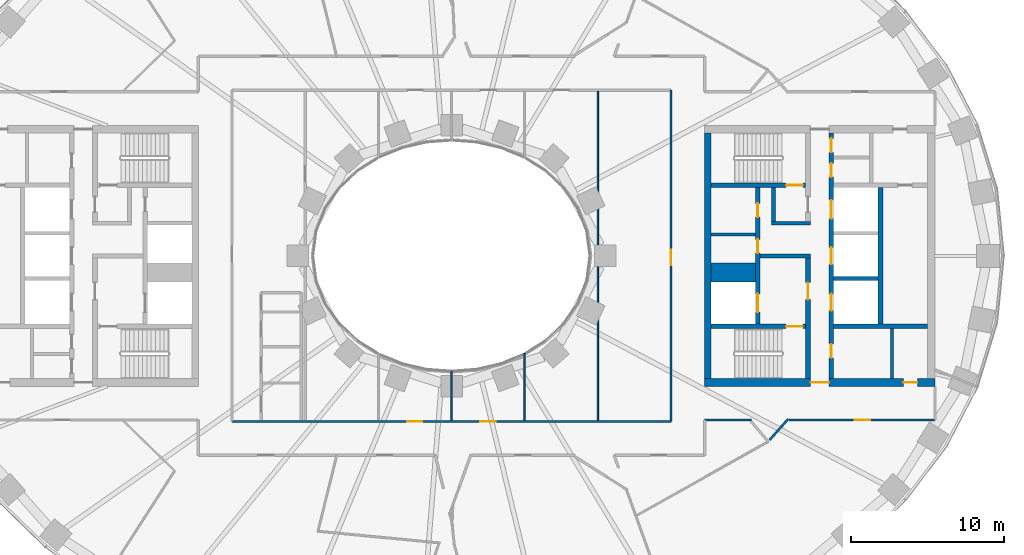
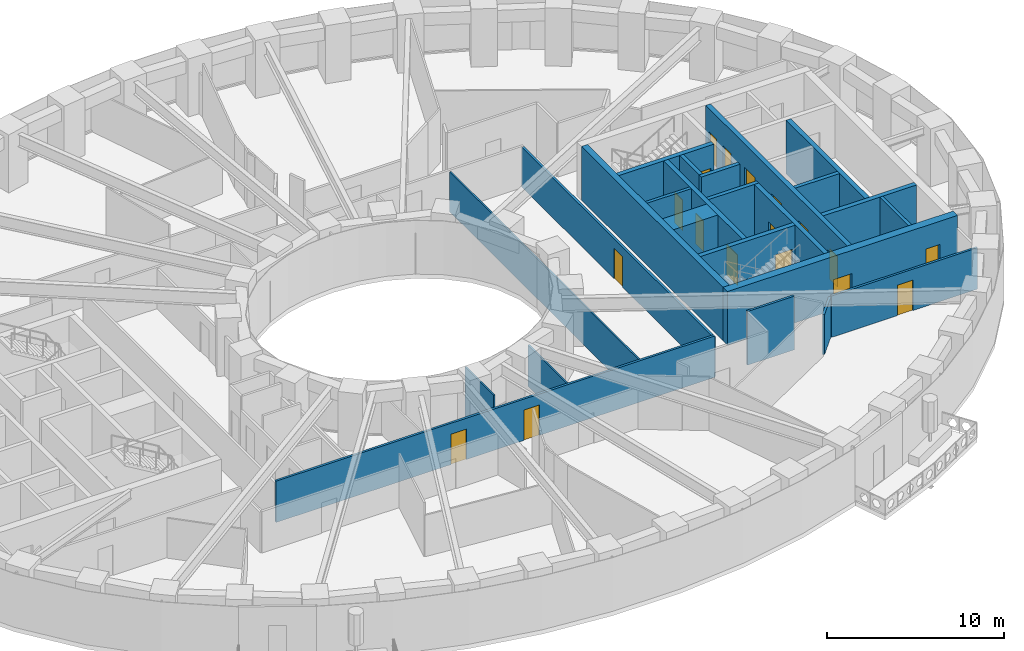
# One storey, part 5 of 15: 24 walls, 18 doors, 18 openings.
"""IFC4 building model written with IfcOpenShell, lengths in metres."""

from ifc_helpers import new_model, si_unit, direction, frame, frame_2d, origin, place, context, subcontext, project, spatial, rectangle, extrude, material, layer, layer_set, type_object, element, fill, save


model = new_model("IFC4")

# Units and contexts
model_context = context("Model", 3, precision=1e-05, world=origin(), true_north=direction((0.0, 1.0)))
body_context = subcontext(model_context, "Body", "Model", "MODEL_VIEW")
ifc_project = project(units=[si_unit("LENGTHUNIT", "METRE"), si_unit("AREAUNIT", "SQUARE_METRE"), si_unit("VOLUMEUNIT", "CUBIC_METRE"), si_unit("PLANEANGLEUNIT", "RADIAN"), si_unit("MASSUNIT", "GRAM", prefix="KILO")], contexts=[model_context])

# Site, building, storey
site_placement = place(None, origin())
site = spatial("IfcSite", under=ifc_project, at=site_placement, CompositionType="ELEMENT")
building_placement = place(site_placement, origin())
building = spatial("IfcBuilding", under=site, at=building_placement, Name="Noorbagh Ring Tower", CompositionType="ELEMENT")
storey_placement = place(building_placement, frame((0.0, 0.0, 50.5)))
storey = spatial("IfcBuildingStorey", under=building, at=storey_placement, Name="L10", CompositionType="ELEMENT", Elevation=50.5)

# Walls
ifc_material_1 = material(Name="Gypsum board on steel studs", Category="steel")
ifc_layer_1 = layer(ifc_material_1, 0.199951171875)
ifc_layer_set_1 = layer_set([ifc_layer_1], Name="Gypsum board on steel studs")
wall_type_1 = type_object("IfcWallType", Name="CORE-PARTITION-200", PredefinedType="PARTITIONING", material=ifc_layer_set_1)
wall_1_placement = place(storey_placement, frame((16.89990234375, 1.39990234375, 0.0), z_axis=(0.0, 0.0, 1.0), x_axis=(1.0, 0.0, 0.0)))
element("IfcWall", 1, at=wall_1_placement, inside=storey, type_object=wall_type_1, Name="Core partition E", PredefinedType="PARTITIONING", context=body_context, shape_type="SweptSolid", body=[
    extrude(rectangle(XDim=2.900146484375, YDim=0.199951171875, at=frame_2d((1.4501953125, 0.0))), origin(), (0.0, 0.0, 1.0), 3.699951171875),
])
wall_2_placement = place(storey_placement, frame((28.699951171875, -8.0, 0.0), z_axis=(0.0, 0.0, 1.0), x_axis=(0.0, 1.0, 0.0)))
element("IfcWall", 2, at=wall_2_placement, inside=storey, type_object=wall_type_1, Name="Core partition E", PredefinedType="PARTITIONING", context=body_context, shape_type="SweptSolid", body=[
    extrude(rectangle(XDim=3.25, YDim=0.199951171875, at=frame_2d((1.625, 0.0))), origin(), (0.0, 0.0, 1.0), 3.699951171875),
])
ifc_material_2 = material(Name="Concrete C70/85", Category="concrete")
ifc_layer_2 = layer(ifc_material_2, 1.25)
ifc_layer_set_2 = layer_set([ifc_layer_2], Name="Concrete C70/85")
wall_type_2 = type_object("IfcWallType", Name="CORE-WALL-1250-C70-85-EI120", PredefinedType="SHEAR", material=ifc_layer_set_2)
wall_3_placement = place(storey_placement, frame((16.89990234375, -1.074951171875, 0.0), z_axis=(0.0, 0.0, 1.0), x_axis=(1.0, 0.0, 0.0)))
element("IfcWall", 3, at=wall_3_placement, inside=storey, type_object=wall_type_2, Name="Core wall E", PredefinedType="SHEAR", context=body_context, shape_type="SweptSolid", body=[
    extrude(rectangle(XDim=2.900146484375, YDim=1.25, at=frame_2d((1.4501953125, 0.0))), origin(), (0.0, 0.0, 1.0), 3.699951171875),
])
ifc_material_3 = material(Name="Concrete C70/85", Category="concrete")
ifc_layer_3 = layer(ifc_material_3, 0.25)
ifc_layer_set_3 = layer_set([ifc_layer_3], Name="Concrete C70/85")
wall_type_3 = type_object("IfcWallType", Name="CORE-WALL-250-C70-85-EI120", PredefinedType="SHEAR", material=ifc_layer_set_3)
wall_4_placement = place(storey_placement, frame((24.89990234375, -1.47509765625, 0.0), z_axis=(0.0, 0.0, 1.0), x_axis=(1.0, 0.0, 0.0)))
element("IfcWall", 4, at=wall_4_placement, inside=storey, type_object=wall_type_3, Name="Core wall E", PredefinedType="SHEAR", context=body_context, shape_type="SweptSolid", body=[
    extrude(rectangle(XDim=2.900146484375, YDim=0.25, at=frame_2d((1.4501953125, 0.0))), origin(), (0.0, 0.0, 1.0), 3.699951171875),
])
ifc_material_4 = material(Name="Concrete C70/85", Category="concrete")
ifc_layer_4 = layer(ifc_material_4, 0.25)
ifc_layer_set_4 = layer_set([ifc_layer_4], Name="Concrete C70/85")
wall_type_4 = type_object("IfcWallType", Name="CORE-WALL-250-C70-85-EI240", PredefinedType="SHEAR", material=ifc_layer_set_4)
wall_5_placement = place(storey_placement, frame((20.10009765625, 0.0, 0.0), z_axis=(0.0, 0.0, 1.0), x_axis=(1.0, 0.0, 0.0)))
element("IfcWall", 5, at=wall_5_placement, inside=storey, type_object=wall_type_4, Name="Core wall E", PredefinedType="SHEAR", context=body_context, shape_type="SweptSolid", body=[
    extrude(rectangle(XDim=3.27978515625, YDim=0.25, at=frame_2d((1.639892578125, 0.0))), origin(), (0.0, 0.0, 1.0), 3.699951171875),
])
wall_6_placement = place(storey_placement, frame((20.85009765625, 2.125, 0.0), z_axis=(0.0, 0.0, 1.0), x_axis=(1.0, 0.0, 0.0)))
element("IfcWall", 6, at=wall_6_placement, inside=storey, type_object=wall_type_4, Name="Core wall E", PredefinedType="SHEAR", context=body_context, shape_type="SweptSolid", body=[
    extrude(rectangle(XDim=2.52978515625, YDim=0.25, at=frame_2d((1.264892578125, 0.0))), origin(), (0.0, 0.0, 1.0), 3.699951171875),
])
wall_7_placement = place(storey_placement, frame((20.97509765625, 2.25, 0.0), z_axis=(0.0, 0.0, 1.0), x_axis=(0.0, 1.0, 0.0)))
element("IfcWall", 7, at=wall_7_placement, inside=storey, type_object=wall_type_4, Name="Core wall E", PredefinedType="SHEAR", context=body_context, shape_type="SweptSolid", body=[
    extrude(rectangle(XDim=2.199951171875, YDim=0.25, at=frame_2d((1.10009765625, 0.0))), origin(), (0.0, 0.0, 1.0), 3.699951171875),
])
ifc_material_5 = material(Name="Concrete C70/85", Category="concrete")
ifc_layer_5 = layer(ifc_material_5, 0.300048828125)
ifc_layer_set_5 = layer_set([ifc_layer_5], Name="Concrete C70/85")
wall_type_5 = type_object("IfcWallType", Name="CORE-WALL-300-C70-85-EI120", PredefinedType="SHEAR", material=ifc_layer_set_5)
wall_8_placement = place(storey_placement, frame((27.949951171875, -4.449951171875, 0.0), z_axis=(0.0, 0.0, 1.0), x_axis=(0.0, 1.0, 0.0)))
element("IfcWall", 8, at=wall_8_placement, inside=storey, type_object=wall_type_5, Name="Core wall E", PredefinedType="SHEAR", context=body_context, shape_type="SweptSolid", body=[
    extrude(rectangle(XDim=8.89990234375, YDim=0.300048828125, at=frame_2d((4.449951171875, 0.0))), origin(), (0.0, 0.0, 1.0), 3.699951171875),
])

# Wall, openings, doors
wall_9_placement = place(storey_placement, frame((19.949951171875, -4.449951171875, 0.0), z_axis=(0.0, 0.0, 1.0), x_axis=(0.0, 1.0, 0.0)))
wall_9 = element("IfcWall", 9, at=wall_9_placement, inside=storey, type_object=wall_type_5, Name="Core wall E", PredefinedType="SHEAR", context=body_context, shape_type="SweptSolid", body=[
    extrude(rectangle(XDim=8.89990234375, YDim=0.300048828125, at=frame_2d((4.449951171875, 0.0))), origin(), (0.0, 0.0, 1.0), 3.699951171875),
])
opening_1_placement = place(wall_9_placement, frame((0.77490234375, 0.0, 0.0)))
opening_1 = element("IfcOpeningElement", 10, at=opening_1_placement, cuts=wall_9, Name="Opening L10-CE01", PredefinedType="OPENING", context=body_context, shape_type="SweptSolid", body=[
    extrude(rectangle(XDim=1.199951171875, YDim=2.10009765625, at=frame_2d((0.60009765625, 1.050048828125))), frame((0.0, 0.16015625, 0.0), z_axis=(0.0, -1.0, 0.0), x_axis=(1.0, 0.0, 0.0)), (0.0, 0.0, 1.0), 0.320068359375),
])
opening_2_placement = place(wall_9_placement, frame((4.6201171875, 0.0, 0.0)))
opening_2 = element("IfcOpeningElement", 11, at=opening_2_placement, cuts=wall_9, Name="Opening L10-CE11", PredefinedType="OPENING", context=body_context, shape_type="SweptSolid", body=[
    extrude(rectangle(XDim=0.89990234375, YDim=2.10009765625, at=frame_2d((0.449951171875, 1.050048828125))), frame((0.0, 0.16015625, 0.0), z_axis=(0.0, -1.0, 0.0), x_axis=(1.0, 0.0, 0.0)), (0.0, 0.0, 1.0), 0.320068359375),
])
opening_3_placement = place(wall_9_placement, frame((6.97509765625, 0.0, 0.0)))
opening_3 = element("IfcOpeningElement", 12, at=opening_3_placement, cuts=wall_9, Name="Opening L10-CE12", PredefinedType="OPENING", context=body_context, shape_type="SweptSolid", body=[
    extrude(rectangle(XDim=0.89990234375, YDim=2.10009765625, at=frame_2d((0.449951171875, 1.050048828125))), frame((0.0, 0.16015625, 0.0), z_axis=(0.0, -1.0, 0.0), x_axis=(1.0, 0.0, 0.0)), (0.0, 0.0, 1.0), 0.320068359375),
])
ifc_material_6 = material(Name="Steel door leaf", Category="steel")
door_type_1 = type_object("IfcDoorType", Name="CORE-DOOR-DROOM", OperationType="SINGLE_SWING_LEFT", PredefinedType="DOOR", material=ifc_material_6)
door_1_placement = place(opening_2_placement, origin())
door_1 = element("IfcDoor", 13, at=door_1_placement, inside=storey, type_object=door_type_1, Name="Core room door L10-CE11", OperationType="SINGLE_SWING_LEFT", OverallHeight=2.10009765625, OverallWidth=0.89990234375, PredefinedType="DOOR", context=body_context, shape_type="SweptSolid", body=[
    extrude(rectangle(XDim=0.89990234375, YDim=2.10009765625, at=frame_2d((0.449951171875, 1.050048828125))), frame((0.0, 0.02490234375, 0.0), z_axis=(0.0, -1.0, 0.0), x_axis=(1.0, 0.0, 0.0)), (0.0, 0.0, 1.0), 0.050048828125),
])
fill(opening_2, door_1)
door_2_placement = place(opening_3_placement, origin())
door_2 = element("IfcDoor", 14, at=door_2_placement, inside=storey, type_object=door_type_1, Name="Core room door L10-CE12", OperationType="SINGLE_SWING_RIGHT", OverallHeight=2.10009765625, OverallWidth=0.89990234375, PredefinedType="DOOR", context=body_context, shape_type="SweptSolid", body=[
    extrude(rectangle(XDim=0.89990234375, YDim=2.10009765625, at=frame_2d((0.449951171875, 1.050048828125))), frame((0.0, 0.02490234375, 0.0), z_axis=(0.0, -1.0, 0.0), x_axis=(1.0, 0.0, 0.0)), (0.0, 0.0, 1.0), 0.050048828125),
])
fill(opening_3, door_2)
ifc_material_7 = material(Name="Steel door leaf", Category="steel")
door_type_2 = type_object("IfcDoorType", Name="CORE-DOOR-LDW", OperationType="DOUBLE_DOOR_SLIDING", PredefinedType="DOOR", material=ifc_material_7)
door_3_placement = place(opening_1_placement, origin())
door_3 = element("IfcDoor", 15, at=door_3_placement, inside=storey, type_object=door_type_2, Name="Landing door FF2 L10-CE01", OperationType="DOUBLE_DOOR_SLIDING", OverallHeight=2.10009765625, OverallWidth=1.199951171875, PredefinedType="DOOR", context=body_context, shape_type="SweptSolid", body=[
    extrude(rectangle(XDim=1.199951171875, YDim=2.10009765625, at=frame_2d((0.60009765625, 1.050048828125))), frame((0.0, 0.02490234375, 0.0), z_axis=(0.0, -1.0, 0.0), x_axis=(1.0, 0.0, 0.0)), (0.0, 0.0, 1.0), 0.050048828125),
])
fill(opening_1, door_3)

wall_10_placement = place(storey_placement, frame((24.75, -8.0, 0.0), z_axis=(0.0, 0.0, 1.0), x_axis=(0.0, 1.0, 0.0)))
wall_10 = element("IfcWall", 16, at=wall_10_placement, inside=storey, type_object=wall_type_5, Name="Core wall E", PredefinedType="SHEAR", context=body_context, shape_type="SweptSolid", body=[
    extrude(rectangle(XDim=16.0, YDim=0.300048828125, at=frame_2d((8.0, 0.0))), origin(), (0.0, 0.0, 1.0), 3.699951171875),
])
opening_4_placement = place(wall_10_placement, frame((4.425048828125, 0.0, 0.0)))
opening_4 = element("IfcOpeningElement", 17, at=opening_4_placement, cuts=wall_10, Name="Opening L10-CE02", PredefinedType="OPENING", context=body_context, shape_type="SweptSolid", body=[
    extrude(rectangle(XDim=1.10009765625, YDim=2.10009765625, at=frame_2d((0.550048828125, 1.050048828125))), frame((0.0, 0.16015625, 0.0), z_axis=(0.0, -1.0, 0.0), x_axis=(1.0, 0.0, 0.0)), (0.0, 0.0, 1.0), 0.320068359375),
])
opening_5_placement = place(wall_10_placement, frame((7.449951171875, 0.0, 0.0)))
opening_5 = element("IfcOpeningElement", 18, at=opening_5_placement, cuts=wall_10, Name="Opening L10-CE03", PredefinedType="OPENING", context=body_context, shape_type="SweptSolid", body=[
    extrude(rectangle(XDim=1.10009765625, YDim=2.10009765625, at=frame_2d((0.550048828125, 1.050048828125))), frame((0.0, 0.16015625, 0.0), z_axis=(0.0, -1.0, 0.0), x_axis=(1.0, 0.0, 0.0)), (0.0, 0.0, 1.0), 0.320068359375),
])
opening_6_placement = place(wall_10_placement, frame((10.425048828125, 0.0, 0.0)))
opening_6 = element("IfcOpeningElement", 19, at=opening_6_placement, cuts=wall_10, Name="Opening L10-CE04", PredefinedType="OPENING", context=body_context, shape_type="SweptSolid", body=[
    extrude(rectangle(XDim=1.199951171875, YDim=2.10009765625, at=frame_2d((0.60009765625, 1.050048828125))), frame((0.0, 0.16015625, 0.0), z_axis=(0.0, -1.0, 0.0), x_axis=(1.0, 0.0, 0.0)), (0.0, 0.0, 1.0), 0.320068359375),
])
opening_7_placement = place(wall_10_placement, frame((13.125, 0.0, 0.0)))
opening_7 = element("IfcOpeningElement", 20, at=opening_7_placement, cuts=wall_10, Name="Opening L10-CE13", PredefinedType="OPENING", context=body_context, shape_type="SweptSolid", body=[
    extrude(rectangle(XDim=0.89990234375, YDim=2.10009765625, at=frame_2d((0.449951171875, 1.050048828125))), frame((0.0, 0.16015625, 0.0), z_axis=(0.0, -1.0, 0.0), x_axis=(1.0, 0.0, 0.0)), (0.0, 0.0, 1.0), 0.320068359375),
])
opening_8_placement = place(wall_10_placement, frame((14.75, 0.0, 0.0)))
opening_8 = element("IfcOpeningElement", 21, at=opening_8_placement, cuts=wall_10, Name="Opening L10-CE14", PredefinedType="OPENING", context=body_context, shape_type="SweptSolid", body=[
    extrude(rectangle(XDim=0.89990234375, YDim=2.10009765625, at=frame_2d((0.449951171875, 1.050048828125))), frame((0.0, 0.16015625, 0.0), z_axis=(0.0, -1.0, 0.0), x_axis=(1.0, 0.0, 0.0)), (0.0, 0.0, 1.0), 0.320068359375),
])
opening_9_placement = place(wall_10_placement, frame((1.35009765625, 0.0, 0.0)))
opening_9 = element("IfcOpeningElement", 22, at=opening_9_placement, cuts=wall_10, Name="Opening L10-CE16", PredefinedType="OPENING", context=body_context, shape_type="SweptSolid", body=[
    extrude(rectangle(XDim=0.89990234375, YDim=2.10009765625, at=frame_2d((0.449951171875, 1.050048828125))), frame((0.0, 0.16015625, 0.0), z_axis=(0.0, -1.0, 0.0), x_axis=(1.0, 0.0, 0.0)), (0.0, 0.0, 1.0), 0.320068359375),
])
door_4_placement = place(opening_7_placement, origin())
door_4 = element("IfcDoor", 23, at=door_4_placement, inside=storey, type_object=door_type_1, Name="Core room door L10-CE13", OperationType="SINGLE_SWING_RIGHT", OverallHeight=2.10009765625, OverallWidth=0.89990234375, PredefinedType="DOOR", context=body_context, shape_type="SweptSolid", body=[
    extrude(rectangle(XDim=0.89990234375, YDim=2.10009765625, at=frame_2d((0.449951171875, 1.050048828125))), frame((0.0, 0.02490234375, 0.0), z_axis=(0.0, -1.0, 0.0), x_axis=(1.0, 0.0, 0.0)), (0.0, 0.0, 1.0), 0.050048828125),
])
fill(opening_7, door_4)
door_5_placement = place(opening_8_placement, origin())
door_5 = element("IfcDoor", 24, at=door_5_placement, inside=storey, type_object=door_type_1, Name="Core room door L10-CE14", OperationType="SINGLE_SWING_LEFT", OverallHeight=2.10009765625, OverallWidth=0.89990234375, PredefinedType="DOOR", context=body_context, shape_type="SweptSolid", body=[
    extrude(rectangle(XDim=0.89990234375, YDim=2.10009765625, at=frame_2d((0.449951171875, 1.050048828125))), frame((0.0, 0.02490234375, 0.0), z_axis=(0.0, -1.0, 0.0), x_axis=(1.0, 0.0, 0.0)), (0.0, 0.0, 1.0), 0.050048828125),
])
fill(opening_8, door_5)
door_6_placement = place(opening_9_placement, origin())
door_6 = element("IfcDoor", 25, at=door_6_placement, inside=storey, type_object=door_type_1, Name="Core room door L10-CE16", OperationType="SINGLE_SWING_RIGHT", OverallHeight=2.10009765625, OverallWidth=0.89990234375, PredefinedType="DOOR", context=body_context, shape_type="SweptSolid", body=[
    extrude(rectangle(XDim=0.89990234375, YDim=2.10009765625, at=frame_2d((0.449951171875, 1.050048828125))), frame((0.0, 0.02490234375, 0.0), z_axis=(0.0, -1.0, 0.0), x_axis=(1.0, 0.0, 0.0)), (0.0, 0.0, 1.0), 0.050048828125),
])
fill(opening_9, door_6)
ifc_material_8 = material(Name="Steel door leaf", Category="steel")
door_type_3 = type_object("IfcDoorType", Name="CORE-DOOR-LD", OperationType="DOUBLE_DOOR_SLIDING", PredefinedType="DOOR", material=ifc_material_8)
door_7_placement = place(opening_4_placement, origin())
door_7 = element("IfcDoor", 26, at=door_7_placement, inside=storey, type_object=door_type_3, Name="Landing door LR3 L10-CE02", OperationType="DOUBLE_DOOR_SLIDING", OverallHeight=2.10009765625, OverallWidth=1.10009765625, PredefinedType="DOOR", context=body_context, shape_type="SweptSolid", body=[
    extrude(rectangle(XDim=1.10009765625, YDim=2.10009765625, at=frame_2d((0.550048828125, 1.050048828125))), frame((0.0, 0.02490234375, 0.0), z_axis=(0.0, -1.0, 0.0), x_axis=(1.0, 0.0, 0.0)), (0.0, 0.0, 1.0), 0.050048828125),
])
fill(opening_4, door_7)
door_8_placement = place(opening_5_placement, origin())
door_8 = element("IfcDoor", 27, at=door_8_placement, inside=storey, type_object=door_type_3, Name="Landing door LR4 L10-CE03", OperationType="DOUBLE_DOOR_SLIDING", OverallHeight=2.10009765625, OverallWidth=1.10009765625, PredefinedType="DOOR", context=body_context, shape_type="SweptSolid", body=[
    extrude(rectangle(XDim=1.10009765625, YDim=2.10009765625, at=frame_2d((0.550048828125, 1.050048828125))), frame((0.0, 0.02490234375, 0.0), z_axis=(0.0, -1.0, 0.0), x_axis=(1.0, 0.0, 0.0)), (0.0, 0.0, 1.0), 0.050048828125),
])
fill(opening_5, door_8)
door_9_placement = place(opening_6_placement, origin())
door_9 = element("IfcDoor", 28, at=door_9_placement, inside=storey, type_object=door_type_2, Name="Landing door SV2 L10-CE04", OperationType="DOUBLE_DOOR_SLIDING", OverallHeight=2.10009765625, OverallWidth=1.199951171875, PredefinedType="DOOR", context=body_context, shape_type="SweptSolid", body=[
    extrude(rectangle(XDim=1.199951171875, YDim=2.10009765625, at=frame_2d((0.60009765625, 1.050048828125))), frame((0.0, 0.02490234375, 0.0), z_axis=(0.0, -1.0, 0.0), x_axis=(1.0, 0.0, 0.0)), (0.0, 0.0, 1.0), 0.050048828125),
])
fill(opening_6, door_9)

# Wall
ifc_material_9 = material(Name="Concrete C70/85", Category="concrete")
ifc_layer_6 = layer(ifc_material_9, 0.300048828125)
ifc_layer_set_6 = layer_set([ifc_layer_6], Name="Concrete C70/85")
wall_type_6 = type_object("IfcWallType", Name="CORE-WALL-300-C70-85-EI240", PredefinedType="SHEAR", material=ifc_layer_set_6)
wall_11_placement = place(storey_placement, frame((24.89990234375, -4.60009765625, 0.0), z_axis=(0.0, 0.0, 1.0), x_axis=(1.0, 0.0, 0.0)))
element("IfcWall", 29, at=wall_11_placement, inside=storey, type_object=wall_type_6, Name="Core wall E", PredefinedType="SHEAR", context=body_context, shape_type="SweptSolid", body=[
    extrude(rectangle(XDim=6.10009765625, YDim=0.300048828125, at=frame_2d((3.050048828125, 0.0))), origin(), (0.0, 0.0, 1.0), 3.699951171875),
])

# Wall, opening, door
wall_12_placement = place(storey_placement, frame((23.22998046875, -8.0, 0.0), z_axis=(0.0, 0.0, 1.0), x_axis=(0.0, 1.0, 0.0)))
wall_12 = element("IfcWall", 30, at=wall_12_placement, inside=storey, type_object=wall_type_6, Name="Core wall E", PredefinedType="SHEAR", context=body_context, shape_type="SweptSolid", body=[
    extrude(rectangle(XDim=7.875, YDim=0.300048828125, at=frame_2d((3.9375, 0.0))), origin(), (0.0, 0.0, 1.0), 3.699951171875),
])
opening_10_placement = place(wall_12_placement, frame((5.14990234375, 0.0, 0.0)))
opening_10 = element("IfcOpeningElement", 31, at=opening_10_placement, cuts=wall_12, Name="Opening L10-CE07", PredefinedType="OPENING", context=body_context, shape_type="SweptSolid", body=[
    extrude(rectangle(XDim=1.10009765625, YDim=2.10009765625, at=frame_2d((0.550048828125, 1.050048828125))), frame((0.0, 0.16015625, 0.0), z_axis=(0.0, -1.0, 0.0), x_axis=(1.0, 0.0, 0.0)), (0.0, 0.0, 1.0), 0.320068359375),
])
ifc_material_10 = material(Name="Steel door leaf", Category="steel")
door_type_4 = type_object("IfcDoorType", Name="CORE-DOOR-DFF", OperationType="SINGLE_SWING_LEFT", PredefinedType="DOOR", material=ifc_material_10)
door_10_placement = place(opening_10_placement, origin())
door_10 = element("IfcDoor", 32, at=door_10_placement, inside=storey, type_object=door_type_4, Name="Firefighting lobby door L10-CE07", OperationType="SINGLE_SWING_RIGHT", OverallHeight=2.10009765625, OverallWidth=1.10009765625, PredefinedType="DOOR", context=body_context, shape_type="SweptSolid", body=[
    extrude(rectangle(XDim=1.10009765625, YDim=2.10009765625, at=frame_2d((0.550048828125, 1.050048828125))), frame((0.0, 0.02490234375, 0.0), z_axis=(0.0, -1.0, 0.0), x_axis=(1.0, 0.0, 0.0)), (0.0, 0.0, 1.0), 0.050048828125),
])
fill(opening_10, door_10)

wall_13_placement = place(storey_placement, frame((16.89990234375, 4.60009765625, 0.0), z_axis=(0.0, 0.0, 1.0), x_axis=(1.0, 0.0, 0.0)))
wall_13 = element("IfcWall", 33, at=wall_13_placement, inside=storey, type_object=wall_type_6, Name="Core wall E", PredefinedType="SHEAR", context=body_context, shape_type="SweptSolid", body=[
    extrude(rectangle(XDim=6.18017578125, YDim=0.300048828125, at=frame_2d((3.090087890625, 0.0))), origin(), (0.0, 0.0, 1.0), 3.699951171875),
])
opening_11_placement = place(wall_13_placement, frame((4.89990234375, 0.0, 0.0)))
opening_11 = element("IfcOpeningElement", 34, at=opening_11_placement, cuts=wall_13, Name="Opening L10-CE05", PredefinedType="OPENING", context=body_context, shape_type="SweptSolid", body=[
    extrude(rectangle(XDim=1.10009765625, YDim=2.10009765625, at=frame_2d((0.550048828125, 1.050048828125))), frame((0.0, 0.16015625, 0.0), z_axis=(0.0, -1.0, 0.0), x_axis=(1.0, 0.0, 0.0)), (0.0, 0.0, 1.0), 0.320068359375),
])
ifc_material_11 = material(Name="Steel door leaf", Category="steel")
door_type_5 = type_object("IfcDoorType", Name="CORE-DOOR-DSTAIR", OperationType="SINGLE_SWING_LEFT", PredefinedType="DOOR", material=ifc_material_11)
door_11_placement = place(opening_11_placement, origin())
door_11 = element("IfcDoor", 35, at=door_11_placement, inside=storey, type_object=door_type_5, Name="Stair door ST3 L10-CE05", OperationType="SINGLE_SWING_LEFT", OverallHeight=2.10009765625, OverallWidth=1.10009765625, PredefinedType="DOOR", context=body_context, shape_type="SweptSolid", body=[
    extrude(rectangle(XDim=1.10009765625, YDim=2.10009765625, at=frame_2d((0.550048828125, 1.050048828125))), frame((0.0, 0.02490234375, 0.0), z_axis=(0.0, -1.0, 0.0), x_axis=(1.0, 0.0, 0.0)), (0.0, 0.0, 1.0), 0.050048828125),
])
fill(opening_11, door_11)

wall_14_placement = place(storey_placement, frame((16.89990234375, -4.60009765625, 0.0), z_axis=(0.0, 0.0, 1.0), x_axis=(1.0, 0.0, 0.0)))
wall_14 = element("IfcWall", 36, at=wall_14_placement, inside=storey, type_object=wall_type_6, Name="Core wall E", PredefinedType="SHEAR", context=body_context, shape_type="SweptSolid", body=[
    extrude(rectangle(XDim=6.18017578125, YDim=0.300048828125, at=frame_2d((3.090087890625, 0.0))), origin(), (0.0, 0.0, 1.0), 3.699951171875),
])
opening_12_placement = place(wall_14_placement, frame((4.89990234375, 0.0, 0.0)))
opening_12 = element("IfcOpeningElement", 37, at=opening_12_placement, cuts=wall_14, Name="Opening L10-CE06", PredefinedType="OPENING", context=body_context, shape_type="SweptSolid", body=[
    extrude(rectangle(XDim=1.10009765625, YDim=2.10009765625, at=frame_2d((0.550048828125, 1.050048828125))), frame((0.0, 0.16015625, 0.0), z_axis=(0.0, -1.0, 0.0), x_axis=(1.0, 0.0, 0.0)), (0.0, 0.0, 1.0), 0.320068359375),
])
door_12_placement = place(opening_12_placement, origin())
door_12 = element("IfcDoor", 38, at=door_12_placement, inside=storey, type_object=door_type_5, Name="Stair door ST4 L10-CE06", OperationType="SINGLE_SWING_RIGHT", OverallHeight=2.10009765625, OverallWidth=1.10009765625, PredefinedType="DOOR", context=body_context, shape_type="SweptSolid", body=[
    extrude(rectangle(XDim=1.10009765625, YDim=2.10009765625, at=frame_2d((0.550048828125, 1.050048828125))), frame((0.0, 0.02490234375, 0.0), z_axis=(0.0, -1.0, 0.0), x_axis=(1.0, 0.0, 0.0)), (0.0, 0.0, 1.0), 0.050048828125),
])
fill(opening_12, door_12)

# Wall
ifc_material_12 = material(Name="Concrete C70/85", Category="concrete")
ifc_layer_7 = layer(ifc_material_12, 0.39990234375)
ifc_layer_set_7 = layer_set([ifc_layer_7], Name="Concrete C70/85")
wall_type_7 = type_object("IfcWallType", Name="CORE-WALL-400-C70-85-EI240", PredefinedType="SHEAR", material=ifc_layer_set_7)
wall_15_placement = place(storey_placement, frame((16.699951171875, -8.0, 0.0), z_axis=(0.0, 0.0, 1.0), x_axis=(0.0, 1.0, 0.0)))
element("IfcWall", 39, at=wall_15_placement, inside=storey, type_object=wall_type_7, Name="Core wall E", PredefinedType="SHEAR", context=body_context, shape_type="SweptSolid", body=[
    extrude(rectangle(XDim=16.0, YDim=0.39990234375, at=frame_2d((8.0, 0.0))), origin(), (0.0, 0.0, 1.0), 3.699951171875),
])

# Wall, openings, doors
ifc_material_13 = material(Name="Concrete C70/85", Category="concrete")
ifc_layer_8 = layer(ifc_material_13, 0.5)
ifc_layer_set_8 = layer_set([ifc_layer_8], Name="Concrete C70/85")
wall_type_8 = type_object("IfcWallType", Name="CORE-WALL-500-C70-85-EI240", PredefinedType="SHEAR", material=ifc_layer_set_8)
wall_16_placement = place(storey_placement, frame((16.5, -8.25, 0.0), z_axis=(0.0, 0.0, 1.0), x_axis=(1.0, 0.0, 0.0)))
wall_16 = element("IfcWall", 40, at=wall_16_placement, inside=storey, type_object=wall_type_8, Name="Core wall E", PredefinedType="SHEAR", context=body_context, shape_type="SweptSolid", body=[
    extrude(rectangle(XDim=15.0, YDim=0.5, at=frame_2d((7.5, 0.0))), origin(), (0.0, 0.0, 1.0), 3.699951171875),
])
opening_13_placement = place(wall_16_placement, frame((6.89990234375, 0.0, 0.0)))
opening_13 = element("IfcOpeningElement", 41, at=opening_13_placement, cuts=wall_16, Name="Opening L10-CE10", PredefinedType="OPENING", context=body_context, shape_type="SweptSolid", body=[
    extrude(rectangle(XDim=1.199951171875, YDim=2.10009765625, at=frame_2d((0.60009765625, 1.050048828125))), frame((0.0, 0.260009765625, 0.0), z_axis=(0.0, -1.0, 0.0), x_axis=(1.0, 0.0, 0.0)), (0.0, 0.0, 1.0), 0.52001953125),
])
opening_14_placement = place(wall_16_placement, frame((12.949951171875, 0.0, 0.0)))
opening_14 = element("IfcOpeningElement", 42, at=opening_14_placement, cuts=wall_16, Name="Opening L10-CE17", PredefinedType="OPENING", context=body_context, shape_type="SweptSolid", body=[
    extrude(rectangle(XDim=0.89990234375, YDim=2.10009765625, at=frame_2d((0.449951171875, 1.050048828125))), frame((0.0, 0.260009765625, 0.0), z_axis=(0.0, -1.0, 0.0), x_axis=(1.0, 0.0, 0.0)), (0.0, 0.0, 1.0), 0.52001953125),
])
door_13_placement = place(opening_14_placement, origin())
door_13 = element("IfcDoor", 43, at=door_13_placement, inside=storey, type_object=door_type_1, Name="Core room door L10-CE17", OperationType="SINGLE_SWING_RIGHT", OverallHeight=2.10009765625, OverallWidth=0.89990234375, PredefinedType="DOOR", context=body_context, shape_type="SweptSolid", body=[
    extrude(rectangle(XDim=0.89990234375, YDim=2.10009765625, at=frame_2d((0.449951171875, 1.050048828125))), frame((0.0, 0.02490234375, 0.0), z_axis=(0.0, -1.0, 0.0), x_axis=(1.0, 0.0, 0.0)), (0.0, 0.0, 1.0), 0.050048828125),
])
fill(opening_14, door_13)
ifc_material_14 = material(Name="Steel door leaf", Category="steel")
door_type_6 = type_object("IfcDoorType", Name="CORE-DOOR-PORT", OperationType="DOUBLE_DOOR_DOUBLE_SWING", PredefinedType="DOOR", material=ifc_material_14)
door_14_placement = place(opening_13_placement, origin())
door_14 = element("IfcDoor", 44, at=door_14_placement, inside=storey, type_object=door_type_6, Name="Core entrance door L10-CE10", OperationType="DOUBLE_DOOR_DOUBLE_SWING", OverallHeight=2.10009765625, OverallWidth=1.199951171875, PredefinedType="DOOR", context=body_context, shape_type="SweptSolid", body=[
    extrude(rectangle(XDim=1.199951171875, YDim=2.10009765625, at=frame_2d((0.60009765625, 1.050048828125))), frame((0.0, 0.02490234375, 0.0), z_axis=(0.0, -1.0, 0.0), x_axis=(1.0, 0.0, 0.0)), (0.0, 0.0, 1.0), 0.050048828125),
])
fill(opening_13, door_14)

ifc_material_15 = material(Name="Gypsum board on steel studs", Category="steel")
ifc_layer_9 = layer(ifc_material_15, 0.14990234375)
ifc_layer_set_9 = layer_set([ifc_layer_9], Name="Gypsum board on steel studs")
wall_type_9 = type_object("IfcWallType", Name="CORRIDOR PARTITION 150 EI 30", PredefinedType="PARTITIONING", material=ifc_layer_set_9)
wall_17_placement = place(storey_placement, frame((-14.300048828125, -10.800048828125, 0.0), z_axis=(0.0, 0.0, 1.0), x_axis=(1.0, 0.0, 0.0)))
wall_17 = element("IfcWall", 45, at=wall_17_placement, inside=storey, type_object=wall_type_9, Name="L10/wall/P17", PredefinedType="PARTITIONING", context=body_context, shape_type="SweptSolid", body=[
    extrude(rectangle(XDim=28.60009765625, YDim=0.14990234375, at=frame_2d((14.300048828125, 0.0))), origin(), (0.0, 0.0, 1.0), 2.85009765625),
])
opening_15_placement = place(wall_17_placement, frame((11.39990234375, 0.0, 0.0)))
opening_15 = element("IfcOpeningElement", 46, at=opening_15_placement, cuts=wall_17, Name="Opening D1", PredefinedType="OPENING", context=body_context, shape_type="SweptSolid", body=[
    extrude(rectangle(XDim=1.0, YDim=2.10009765625, at=frame_2d((0.5, 1.050048828125))), frame((0.0, 0.0849609375, 0.0), z_axis=(0.0, -1.0, 0.0), x_axis=(1.0, 0.0, 0.0)), (0.0, 0.0, 1.0), 0.169921875),
])
opening_16_placement = place(wall_17_placement, frame((16.1669921875, 0.0, 0.0)))
opening_16 = element("IfcOpeningElement", 47, at=opening_16_placement, cuts=wall_17, Name="Opening D1", PredefinedType="OPENING", context=body_context, shape_type="SweptSolid", body=[
    extrude(rectangle(XDim=1.0, YDim=2.10009765625, at=frame_2d((0.5, 1.050048828125))), frame((0.0, 0.0849609375, 0.0), z_axis=(0.0, -1.0, 0.0), x_axis=(1.0, 0.0, 0.0)), (0.0, 0.0, 1.0), 0.169921875),
])
ifc_material_16 = material(Name="Timber, painted", Category="wood")
door_type_7 = type_object("IfcDoorType", Name="DOOR 1000 X 2100 FD30", OperationType="SINGLE_SWING_LEFT", PredefinedType="DOOR", material=ifc_material_16)
door_15_placement = place(opening_15_placement, origin())
door_15 = element("IfcDoor", 48, at=door_15_placement, inside=storey, type_object=door_type_7, Name="L10-D21", OperationType="SINGLE_SWING_LEFT", OverallHeight=2.10009765625, OverallWidth=1.0, PredefinedType="DOOR", context=body_context, shape_type="SweptSolid", body=[
    extrude(rectangle(XDim=1.0, YDim=2.10009765625, at=frame_2d((0.5, 1.050048828125))), frame((0.0, 0.02490234375, 0.0), z_axis=(0.0, -1.0, 0.0), x_axis=(1.0, 0.0, 0.0)), (0.0, 0.0, 1.0), 0.050048828125),
])
fill(opening_15, door_15)
door_16_placement = place(opening_16_placement, origin())
door_16 = element("IfcDoor", 49, at=door_16_placement, inside=storey, type_object=door_type_7, Name="L10-D23", OperationType="SINGLE_SWING_LEFT", OverallHeight=2.10009765625, OverallWidth=1.0, PredefinedType="DOOR", context=body_context, shape_type="SweptSolid", body=[
    extrude(rectangle(XDim=1.0, YDim=2.10009765625, at=frame_2d((0.5, 1.050048828125))), frame((0.0, 0.02490234375, 0.0), z_axis=(0.0, -1.0, 0.0), x_axis=(1.0, 0.0, 0.0)), (0.0, 0.0, 1.0), 0.050048828125),
])
fill(opening_16, door_16)

# Wall, opening, door
wall_18_placement = place(storey_placement, frame((14.300048828125, -10.800048828125, 0.0), z_axis=(0.0, 0.0, 1.0), x_axis=(0.0, 1.0, 0.0)))
wall_18 = element("IfcWall", 50, at=wall_18_placement, inside=storey, type_object=wall_type_9, Name="L10/wall/P73", PredefinedType="PARTITIONING", context=body_context, shape_type="SweptSolid", body=[
    extrude(rectangle(XDim=21.60009765625, YDim=0.14990234375, at=frame_2d((10.800048828125, 0.0))), origin(), (0.0, 0.0, 1.0), 2.75),
])
opening_17_placement = place(wall_18_placement, frame((10.199951171875, 0.0, 0.0)))
opening_17 = element("IfcOpeningElement", 51, at=opening_17_placement, cuts=wall_18, Name="Opening D1", PredefinedType="OPENING", context=body_context, shape_type="SweptSolid", body=[
    extrude(rectangle(XDim=1.0, YDim=2.10009765625, at=frame_2d((0.5, 1.050048828125))), frame((0.0, 0.0849609375, 0.0), z_axis=(0.0, -1.0, 0.0), x_axis=(1.0, 0.0, 0.0)), (0.0, 0.0, 1.0), 0.169921875),
])
door_17_placement = place(opening_17_placement, origin())
door_17 = element("IfcDoor", 52, at=door_17_placement, inside=storey, type_object=door_type_7, Name="L10-D26", OperationType="SINGLE_SWING_RIGHT", OverallHeight=2.10009765625, OverallWidth=1.0, PredefinedType="DOOR", context=body_context, shape_type="SweptSolid", body=[
    extrude(rectangle(XDim=1.0, YDim=2.10009765625, at=frame_2d((0.5, 1.050048828125))), frame((0.0, 0.02490234375, 0.0), z_axis=(0.0, -1.0, 0.0), x_axis=(1.0, 0.0, 0.0)), (0.0, 0.0, 1.0), 0.050048828125),
])
fill(opening_17, door_17)

# Walls
wall_19_placement = place(storey_placement, frame((16.5, -10.699951171875, 0.0), z_axis=(0.0, 0.0, 1.0), x_axis=(1.0, 0.0, 0.0)))
element("IfcWall", 53, at=wall_19_placement, inside=storey, type_object=wall_type_9, Name="L10/wall/P75", PredefinedType="PARTITIONING", context=body_context, shape_type="SweptSolid", body=[
    extrude(rectangle(XDim=3.04296875, YDim=0.14990234375, at=frame_2d((1.521484375, 0.0))), origin(), (0.0, 0.0, 1.0), 3.699951171875),
])
wall_20_placement = place(storey_placement, frame((20.72705078125, -11.993896484375, 0.0), z_axis=(0.0, 0.0, 1.0), x_axis=(0.663767495264, 0.747938976275, 0.0)))
element("IfcWall", 54, at=wall_20_placement, inside=storey, type_object=wall_type_9, Name="L10/wall/P80", PredefinedType="PARTITIONING", context=body_context, shape_type="SweptSolid", body=[
    extrude(rectangle(XDim=1.830322265625, YDim=0.14990234375, at=frame_2d((0.9150390625, 0.0))), origin(), (0.0, 0.0, 1.0), 2.75),
])

# Wall, opening, door
wall_21_placement = place(storey_placement, frame((21.97509765625, -10.699951171875, 0.0), z_axis=(0.0, 0.0, 1.0), x_axis=(1.0, 0.0, 0.0)))
wall_21 = element("IfcWall", 55, at=wall_21_placement, inside=storey, type_object=wall_type_9, Name="L10/wall/P82", PredefinedType="PARTITIONING", context=body_context, shape_type="SweptSolid", body=[
    extrude(rectangle(XDim=9.52490234375, YDim=0.14990234375, at=frame_2d((4.762451171875, 0.0))), origin(), (0.0, 0.0, 1.0), 2.85009765625),
])
opening_18_placement = place(wall_21_placement, frame((4.300048828125, 0.0, 0.0)))
opening_18 = element("IfcOpeningElement", 56, at=opening_18_placement, cuts=wall_21, Name="Opening D1", PredefinedType="OPENING", context=body_context, shape_type="SweptSolid", body=[
    extrude(rectangle(XDim=1.0, YDim=2.10009765625, at=frame_2d((0.5, 1.050048828125))), frame((0.0, 0.0849609375, 0.0), z_axis=(0.0, -1.0, 0.0), x_axis=(1.0, 0.0, 0.0)), (0.0, 0.0, 1.0), 0.169921875),
])
door_18_placement = place(opening_18_placement, origin())
door_18 = element("IfcDoor", 57, at=door_18_placement, inside=storey, type_object=door_type_7, Name="L10-D18", OperationType="SINGLE_SWING_RIGHT", OverallHeight=2.10009765625, OverallWidth=1.0, PredefinedType="DOOR", context=body_context, shape_type="SweptSolid", body=[
    extrude(rectangle(XDim=1.0, YDim=2.10009765625, at=frame_2d((0.5, 1.050048828125))), frame((0.0, 0.02490234375, 0.0), z_axis=(0.0, -1.0, 0.0), x_axis=(1.0, 0.0, 0.0)), (0.0, 0.0, 1.0), 0.050048828125),
])
fill(opening_18, door_18)

# Walls
ifc_material_17 = material(Name="Gypsum board on steel studs", Category="steel")
ifc_layer_10 = layer(ifc_material_17, 0.10009765625)
ifc_layer_set_10 = layer_set([ifc_layer_10], Name="Gypsum board on steel studs")
wall_type_10 = type_object("IfcWallType", Name="PARTITION 100 GYPSUM", PredefinedType="PARTITIONING", material=ifc_layer_set_10)
wall_22_placement = place(storey_placement, frame((0.0, -10.72509765625, 0.0), z_axis=(0.0, 0.0, 1.0), x_axis=(0.0, 1.0, 0.0)))
element("IfcWall", 58, at=wall_22_placement, inside=storey, type_object=wall_type_10, Name="L10/wall/P44", PredefinedType="PARTITIONING", context=body_context, shape_type="SweptSolid", body=[
    extrude(rectangle(XDim=3.22119140625, YDim=0.10009765625, at=frame_2d((1.610595703125, 0.0))), origin(), (0.0, 0.0, 1.0), 3.699951171875),
])
wall_23_placement = place(storey_placement, frame((4.76708984375, -10.72509765625, 0.0), z_axis=(0.0, 0.0, 1.0), x_axis=(0.0, 1.0, 0.0)))
element("IfcWall", 59, at=wall_23_placement, inside=storey, type_object=wall_type_10, Name="L10/wall/P58", PredefinedType="PARTITIONING", context=body_context, shape_type="SweptSolid", body=[
    extrude(rectangle(XDim=4.362060546875, YDim=0.10009765625, at=frame_2d((2.18115234375, 0.0))), origin(), (0.0, 0.0, 1.0), 2.85009765625),
])
wall_24_placement = place(storey_placement, frame((9.532958984375, -10.72509765625, 0.0), z_axis=(0.0, 0.0, 1.0), x_axis=(0.0, 1.0, 0.0)))
element("IfcWall", 60, at=wall_24_placement, inside=storey, type_object=wall_type_10, Name="L10/wall/P62", PredefinedType="PARTITIONING", context=body_context, shape_type="SweptSolid", body=[
    extrude(rectangle(XDim=21.4501953125, YDim=0.10009765625, at=frame_2d((10.72509765625, 0.0))), origin(), (0.0, 0.0, 1.0), 2.75),
])

save(model, "model.ifc")
